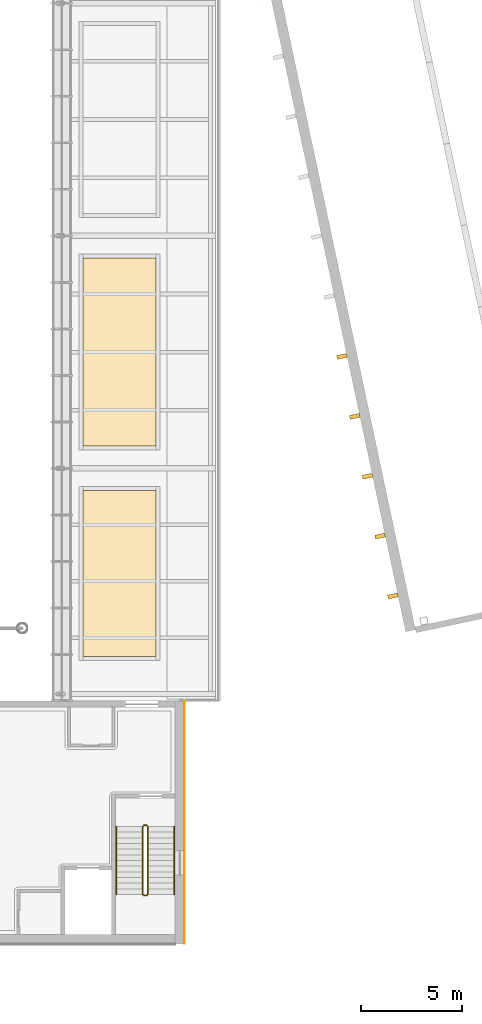
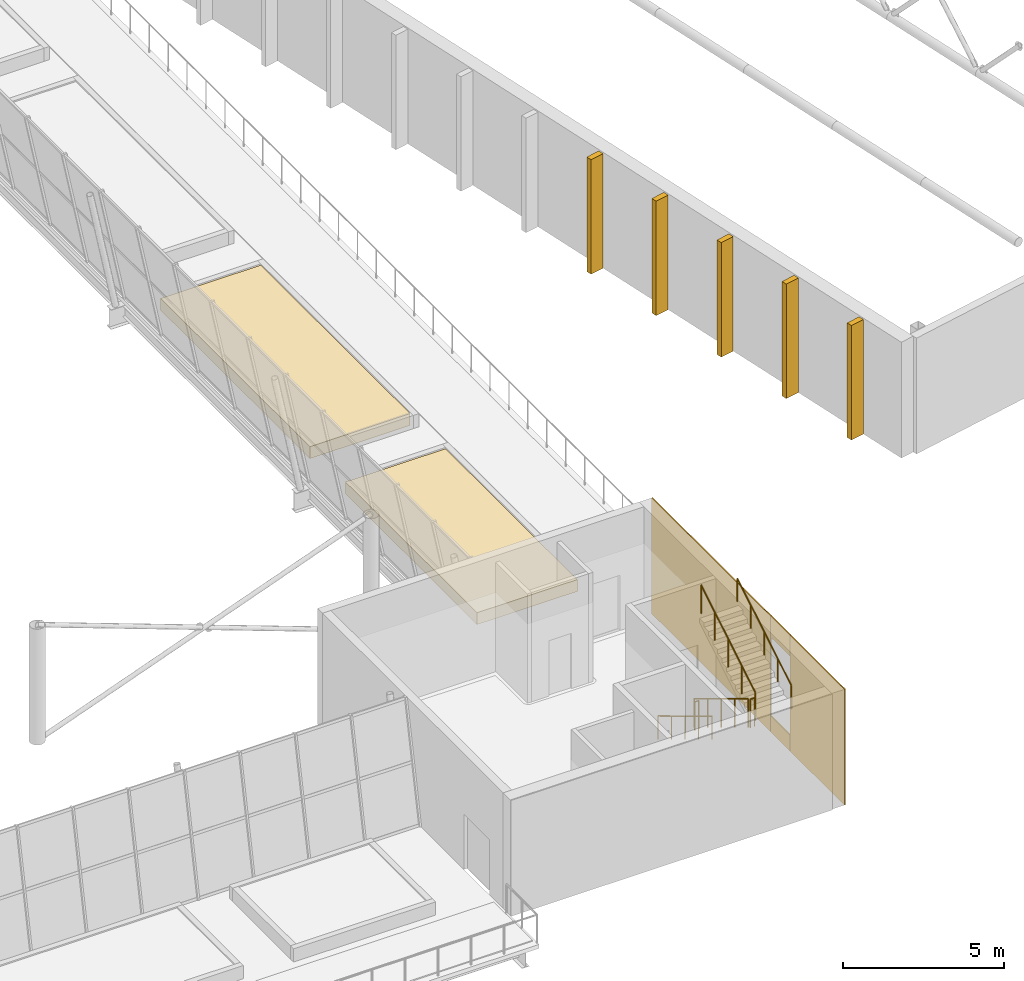
# One storey, part 50 of 58: 6 coverings, 6 railings, 5 shading devices.
"""IFC4 building model written with IfcOpenShell, lengths in metres."""

import ifcopenshell
import ifcopenshell.guid

model = None  # the IFC model being written
_history = None  # IfcOwnerHistory: only IFC2X3 demands one
_inside = {}  # id of a spatial element -> (the spatial element, [elements in it])
_under = {}  # id of a project, library or spatial element -> (it, [spatial elements below it])
_declared = {}  # id of a project -> (the project, [libraries it declares])
_typed = {}  # id of a type object -> (the type object, [elements of that type])
_made_of = {}  # id of a material, layer set ... -> (it, [elements and type objects made of it])


def new_model(schema):
    """Start an empty IFC model of exactly this schema.

    Asked for "IFC4X3", IfcOpenShell would pick the latest addendum, in which some entities
    have other attributes; the version numbers below select the first issue.
    IFC2X3 requires an IfcOwnerHistory on every rooted entity: one is made here for all.
    """
    global model, _history
    if schema == "IFC4X3":
        model = ifcopenshell.file(schema_version=(4, 3, 0, 0))
    else:
        model = ifcopenshell.file(schema=schema)
    _inside.clear()
    _under.clear()
    _declared.clear()
    _typed.clear()
    _made_of.clear()
    _history = None
    if model.schema == "IFC2X3":
        org = make("IfcOrganization", Name="unknown")
        user = make(
            "IfcPersonAndOrganization",
            ThePerson=make("IfcPerson", FamilyName="unknown"),
            TheOrganization=org,
        )
        app = make(
            "IfcApplication",
            ApplicationDeveloper=org,
            Version="unknown",
            ApplicationFullName="unknown",
            ApplicationIdentifier="unknown",
        )
        _history = make(
            "IfcOwnerHistory",
            OwningUser=user,
            OwningApplication=app,
            ChangeAction="ADDED",
            CreationDate=0,
        )
    return model


def make(cls, **values):
    """One entity of the class cls with the attributes given. An attribute that is None is left unset."""
    return model.create_entity(
        cls, **{name: value for name, value in values.items() if value is not None}
    )


def rooted(cls, **values):
    """An entity with a GlobalId (a new one), such as an element, a storey or a relation."""
    return make(cls, GlobalId=ifcopenshell.guid.new(), OwnerHistory=_history, **values)


def si_unit(unit_type, name, prefix=None):
    """IfcSIUnit, for example si_unit("LENGTHUNIT", "METRE", prefix="MILLI")."""
    return make("IfcSIUnit", UnitType=unit_type, Prefix=prefix, Name=name)


def assignment(units):
    """IfcUnitAssignment: the units of a project."""
    return None if units is None else make("IfcUnitAssignment", Units=units)


def point(xyz):
    """IfcCartesianPoint."""
    return None if xyz is None else make("IfcCartesianPoint", Coordinates=xyz)


def direction(xyz):
    """IfcDirection."""
    return None if xyz is None else make("IfcDirection", DirectionRatios=xyz)


def frame(location, z_axis=None, x_axis=None):
    """IfcAxis2Placement3D, a coordinate frame: its origin and axes. An axis left out is left unset."""
    return make(
        "IfcAxis2Placement3D",
        Location=point(location),
        Axis=direction(z_axis),
        RefDirection=direction(x_axis),
    )


def frame_2d(location, x_axis=None):
    """IfcAxis2Placement2D, a coordinate frame in the plane: its origin and x axis."""
    return make(
        "IfcAxis2Placement2D", Location=point(location), RefDirection=direction(x_axis)
    )


def origin():
    """The frame at (0, 0, 0) with its axes left unset."""
    return frame((0.0, 0.0, 0.0))


def origin_2d():
    """The frame at (0, 0) in the plane with its x axis left unset."""
    return frame_2d((0.0, 0.0))


def place(relative_to, where):
    """IfcLocalPlacement: puts the frame where relative to a parent placement (None: the world)."""
    return make(
        "IfcLocalPlacement", PlacementRelTo=relative_to, RelativePlacement=where
    )


def context(
    kind, dimensions, precision=None, world=None, true_north=None, identifier=None
):
    """IfcGeometricRepresentationContext, for example the 3D "Model" context."""
    return make(
        "IfcGeometricRepresentationContext",
        ContextIdentifier=identifier,
        ContextType=kind,
        CoordinateSpaceDimension=dimensions,
        Precision=precision,
        WorldCoordinateSystem=world,
        TrueNorth=true_north,
    )


def subcontext(parent, identifier, kind, view, scale=None):
    """IfcGeometricRepresentationSubContext, for example "Body" below "Model"."""
    return make(
        "IfcGeometricRepresentationSubContext",
        ContextIdentifier=identifier,
        ContextType=kind,
        ParentContext=parent,
        TargetScale=scale,
        TargetView=view,
    )


def project(units=None, contexts=None):
    """IfcProject with its units and contexts."""
    return rooted(
        "IfcProject",
        Name="project",
        RepresentationContexts=contexts,
        UnitsInContext=assignment(units),
    )


def spatial(cls, under=None, at=None, **own):
    """A site, building, storey or space (cls), placed at a placement, below another one or the project."""
    s = rooted(cls, ObjectPlacement=at, **own)
    if under is not None:
        _under.setdefault(under.id(), (under, []))[1].append(s)
    return s


def polyline(points):
    """IfcPolyline through the points."""
    return make("IfcPolyline", Points=[point(p) for p in points])


def profile(cls, at=None, kind="AREA", **sizes):
    """A parametric profile (cls). Its sizes go by their IFC names, for example OverallWidth=200.0."""
    return make(cls, ProfileType=kind, Position=at, **sizes)


def circle(**sizes):
    """IfcCircleProfileDef."""
    return profile("IfcCircleProfileDef", **sizes)


def outline(outer, holes=None, kind="AREA"):
    """IfcArbitraryClosedProfileDef: a profile drawn as a closed curve; with holes, ...WithVoids."""
    if holes is None:
        return make("IfcArbitraryClosedProfileDef", ProfileType=kind, OuterCurve=outer)
    return make(
        "IfcArbitraryProfileDefWithVoids",
        ProfileType=kind,
        OuterCurve=outer,
        InnerCurves=holes,
    )


def extrude(swept, where, along, depth):
    """IfcExtrudedAreaSolid: the profile swept, set in the frame where, extruded along a direction by depth."""
    return make(
        "IfcExtrudedAreaSolid",
        SweptArea=swept,
        Position=where,
        ExtrudedDirection=direction(along),
        Depth=depth,
    )


def shape(context_of_items, identifier, shape_type, items):
    """IfcShapeRepresentation: the items that make up one representation, for example the "Body"."""
    return make(
        "IfcShapeRepresentation",
        ContextOfItems=context_of_items,
        RepresentationIdentifier=identifier,
        RepresentationType=shape_type,
        Items=items,
    )


def material(Name=None, Category=None):
    """IfcMaterial."""
    return make("IfcMaterial", Name=Name, Category=Category)


def layer(
    of_material, thickness, ventilated=None, Name=None, Category=None, Priority=None
):
    """IfcMaterialLayer: one layer of a wall or slab, of a material (None: an air gap)."""
    return make(
        "IfcMaterialLayer",
        Material=of_material,
        LayerThickness=thickness,
        IsVentilated=ventilated,
        Name=Name,
        Category=Category,
        Priority=Priority,
    )


def layer_set(layers, Name=None):
    """IfcMaterialLayerSet."""
    return make("IfcMaterialLayerSet", MaterialLayers=layers, LayerSetName=Name)


def made_of(thing, what):
    """Note that an element or type object is made of a material, layer set ...; save() writes the relation."""
    if what is not None:
        _made_of.setdefault(what.id(), (what, []))[1].append(thing)
    return thing


def type_object(cls, material=None, **own):
    """A type object (cls), such as IfcWallType, which elements share."""
    return made_of(rooted(cls, **own), material)


def element(
    cls,
    number,
    at=None,
    inside=None,
    cuts=None,
    type_object=None,
    material=None,
    context=None,
    identifier="Body",
    shape_type=None,
    held_by="IfcProductDefinitionShape",
    body=None,
    shapes=None,
    **own,
):
    """One element of the class cls, such as IfcWall. Its Tag is "e" and its number.

    at: its placement. inside: the storey or other place that contains it. cuts: it is an
    opening in that element (IfcRelVoidsElement). A single representation is given by context,
    identifier, shape_type and body (its items); several are given by shapes. held_by: the class
    of the entity that holds the representations. save() writes the other relations.
    """
    e = rooted(cls, Tag="e%d" % number, ObjectPlacement=at, **own)
    if body is not None:
        shapes = [shape(context, identifier, shape_type, body)]
    if shapes is not None:
        e.Representation = make(held_by, Representations=shapes)
    if inside is not None:
        _inside.setdefault(inside.id(), (inside, []))[1].append(e)
    if cuts is not None:
        rooted(
            "IfcRelVoidsElement", RelatingBuildingElement=cuts, RelatedOpeningElement=e
        )
    if type_object is not None:
        _typed.setdefault(type_object.id(), (type_object, []))[1].append(e)
    return made_of(e, material)


def aggregate(whole, parts):
    """IfcRelAggregates: a whole, such as a stair, and the parts it consists of."""
    return rooted("IfcRelAggregates", RelatingObject=whole, RelatedObjects=parts)


def save(model, path):
    """Write the relations noted so far, then the file.

    IfcRelAggregates (storeys below a building ...), IfcRelContainedInSpatialStructure (elements
    in a storey), IfcRelDefinesByType, IfcRelAssociatesMaterial and IfcRelDeclares: one each for
    every whole, place, type object, material and project.
    """
    for whole, parts in _under.values():
        aggregate(whole, parts)
    for where, things in _inside.values():
        rooted(
            "IfcRelContainedInSpatialStructure",
            RelatedElements=things,
            RelatingStructure=where,
        )
    for kind, things in _typed.values():
        rooted("IfcRelDefinesByType", RelatedObjects=things, RelatingType=kind)
    for what, things in _made_of.values():
        rooted("IfcRelAssociatesMaterial", RelatedObjects=things, RelatingMaterial=what)
    for by, libraries in _declared.values():
        rooted("IfcRelDeclares", RelatingContext=by, RelatedDefinitions=libraries)
    model.write(path)


model = new_model("IFC4")

# Units and contexts
model_context = context("Model", 3, precision=1e-05, world=origin(), true_north=direction((0.0, 1.0)))
body_context = subcontext(model_context, "Body", "Model", "MODEL_VIEW")
ifc_project = project(units=[si_unit("LENGTHUNIT", "METRE"), si_unit("AREAUNIT", "SQUARE_METRE"), si_unit("VOLUMEUNIT", "CUBIC_METRE"), si_unit("PLANEANGLEUNIT", "RADIAN"), si_unit("MASSUNIT", "GRAM", prefix="KILO")], contexts=[model_context])

# Site, building, storey
site_placement = place(None, origin())
site = spatial("IfcSite", under=ifc_project, at=site_placement, CompositionType="ELEMENT")
building_placement = place(site_placement, origin())
building = spatial("IfcBuilding", under=site, at=building_placement, Name="Windward Yard Aquatics Centre", CompositionType="ELEMENT")
storey_placement = place(building_placement, frame((0.0, 0.0, 13.800048828125)))
storey = spatial("IfcBuildingStorey", under=building, at=storey_placement, Name="L03", CompositionType="ELEMENT", Elevation=13.800048828125)

# Shading devices
ifc_material_1 = material(Name="Aluminium fin, powder coated", Category="aluminium")
shading_device_type = type_object("IfcShadingDeviceType", Name="D vertical fin 200x500", PredefinedType="USERDEFINED", material=ifc_material_1)
shading_device_1_placement = place(storey_placement, origin())
element("IfcShadingDevice", 1, at=shading_device_1_placement, inside=storey, type_object=shading_device_type, Name="Vertical fin D.W.W.L03.1.1", ObjectType="FIN", PredefinedType="USERDEFINED", context=body_context, shape_type="SweptSolid", body=[
    extrude(outline(polyline([(162.05224609375, 43.23779296875), (162.093994140625, 43.042236328125), (162.5830078125, 43.146240234375), (162.54150390625, 43.341796875), (162.05224609375, 43.23779296875)])), origin(), (0.0, 0.0, 1.0), 4.349853515625),
])
shading_device_2_placement = place(storey_placement, origin())
element("IfcShadingDevice", 2, at=shading_device_2_placement, inside=storey, type_object=shading_device_type, Name="Vertical fin D.W.W.L03.1.2", ObjectType="FIN", PredefinedType="USERDEFINED", context=body_context, shape_type="SweptSolid", body=[
    extrude(outline(polyline([(161.4228515625, 46.198974609375), (161.464599609375, 46.00341796875), (161.95361328125, 46.107421875), (161.912109375, 46.302978515625), (161.4228515625, 46.198974609375)])), origin(), (0.0, 0.0, 1.0), 4.349853515625),
])
shading_device_3_placement = place(storey_placement, origin())
element("IfcShadingDevice", 3, at=shading_device_3_placement, inside=storey, type_object=shading_device_type, Name="Vertical fin D.W.W.L03.1.3", ObjectType="FIN", PredefinedType="USERDEFINED", context=body_context, shape_type="SweptSolid", body=[
    extrude(outline(polyline([(160.79345703125, 49.16015625), (160.835205078125, 48.964599609375), (161.32421875, 49.068603515625), (161.28271484375, 49.26416015625), (160.79345703125, 49.16015625)])), origin(), (0.0, 0.0, 1.0), 4.349853515625),
])
shading_device_4_placement = place(storey_placement, origin())
element("IfcShadingDevice", 4, at=shading_device_4_placement, inside=storey, type_object=shading_device_type, Name="Vertical fin D.W.W.L03.1.4", ObjectType="FIN", PredefinedType="USERDEFINED", context=body_context, shape_type="SweptSolid", body=[
    extrude(outline(polyline([(160.1640625, 52.121337890625), (160.205810546875, 51.925537109375), (160.69482421875, 52.029541015625), (160.6533203125, 52.22509765625), (160.1640625, 52.121337890625)])), origin(), (0.0, 0.0, 1.0), 4.349853515625),
])
shading_device_5_placement = place(storey_placement, origin())
element("IfcShadingDevice", 5, at=shading_device_5_placement, inside=storey, type_object=shading_device_type, Name="Vertical fin D.W.W.L03.1.5", ObjectType="FIN", PredefinedType="USERDEFINED", context=body_context, shape_type="SweptSolid", body=[
    extrude(outline(polyline([(159.53466796875, 55.08251953125), (159.576416015625, 54.88671875), (160.0654296875, 54.99072265625), (160.023681640625, 55.186279296875), (159.53466796875, 55.08251953125)])), origin(), (0.0, 0.0, 1.0), 4.349853515625),
])

# Railings
ifc_material_2 = material(Name="Stainless steel 1.4529", Category="steel")
railing_type_1 = type_object("IfcRailingType", Name="H Guard Steel 1100", PredefinedType="GUARDRAIL", material=ifc_material_2)
railing_1_placement = place(storey_placement, frame((149.949951171875, 31.800048828125, 0.169189453125)))
element("IfcRailing", 6, at=railing_1_placement, inside=storey, type_object=railing_type_1, Name="L03 ST2 stair guard 1", PredefinedType="GUARDRAIL", context=body_context, shape_type="SweptSolid", body=[
    extrude(circle(Radius=0.02392578125, at=origin_2d()), frame((0.0, 0.0, 1.076171875), z_axis=(0.0, -0.855836976705, 0.517245656632), x_axis=(1.0, 0.0, 0.0)), (0.0, 0.0, 1.0), 3.926025390625),
    extrude(circle(Radius=0.02099609375, at=origin_2d()), origin(), (0.0, 0.0, 1.0), 1.052001953125),
    extrude(circle(Radius=0.02099609375, at=origin_2d()), frame((0.0, -0.840087890625, 0.5078125)), (0.0, 0.0, 1.0), 1.052001953125),
    extrude(circle(Radius=0.02099609375, at=origin_2d()), frame((0.0, -1.68017578125, 1.015380859375)), (0.0, 0.0, 1.0), 1.052001953125),
    extrude(circle(Radius=0.02099609375, at=origin_2d()), frame((0.0, -2.52001953125, 1.52294921875)), (0.0, 0.0, 1.0), 1.052001953125),
    extrude(circle(Radius=0.02099609375, at=origin_2d()), frame((0.0, -3.360107421875, 2.03076171875)), (0.0, 0.0, 1.0), 1.052001953125),
])
railing_2_placement = place(storey_placement, frame((150.0, 28.389892578125, 2.199951171875)))
element("IfcRailing", 7, at=railing_2_placement, inside=storey, type_object=railing_type_1, Name="L03 ST2 stair guard 2", PredefinedType="GUARDRAIL", context=body_context, shape_type="SweptSolid", body=[
    extrude(circle(Radius=0.02392578125, at=origin_2d()), frame((0.0, 0.0, 1.076171875), z_axis=(1.0, 0.0, 0.0), x_axis=(0.0, 1.0, 0.0)), (0.0, 0.0, 1.0), 0.14990234375),
    extrude(circle(Radius=0.02099609375, at=origin_2d()), origin(), (0.0, 0.0, 1.0), 1.052001953125),
    extrude(circle(Radius=0.02099609375, at=origin_2d()), frame((0.14990234375, 0.0, 0.0)), (0.0, 0.0, 1.0), 1.052001953125),
])
railing_3_placement = place(storey_placement, frame((150.199951171875, 28.43994140625, 2.369140625)))
element("IfcRailing", 8, at=railing_3_placement, inside=storey, type_object=railing_type_1, Name="L03 ST2 stair guard 3", PredefinedType="GUARDRAIL", context=body_context, shape_type="SweptSolid", body=[
    extrude(circle(Radius=0.02392578125, at=origin_2d()), frame((0.0, 0.0, 1.076171875), z_axis=(0.0, 0.855836976705, 0.517245656632), x_axis=(-1.0, 0.0, 0.0)), (0.0, 0.0, 1.0), 3.926025390625),
    extrude(circle(Radius=0.02099609375, at=origin_2d()), origin(), (0.0, 0.0, 1.0), 1.052001953125),
    extrude(circle(Radius=0.02099609375, at=origin_2d()), frame((0.0, 0.840087890625, 0.5078125)), (0.0, 0.0, 1.0), 1.052001953125),
    extrude(circle(Radius=0.02099609375, at=origin_2d()), frame((0.0, 1.68017578125, 1.015380859375)), (0.0, 0.0, 1.0), 1.052001953125),
    extrude(circle(Radius=0.02099609375, at=origin_2d()), frame((0.0, 2.52001953125, 1.52294921875)), (0.0, 0.0, 1.0), 1.052001953125),
    extrude(circle(Radius=0.02099609375, at=origin_2d()), frame((0.0, 3.360107421875, 2.03076171875)), (0.0, 0.0, 1.0), 1.052001953125),
])
railing_4_placement = place(storey_placement, frame((150.0, 31.85009765625, 0.0)))
element("IfcRailing", 9, at=railing_4_placement, inside=storey, type_object=railing_type_1, Name="L03 ST2 stair guard 4", PredefinedType="GUARDRAIL", context=body_context, shape_type="SweptSolid", body=[
    extrude(circle(Radius=0.02392578125, at=origin_2d()), frame((0.0, 0.0, 1.076171875), z_axis=(1.0, 0.0, 0.0), x_axis=(0.0, 1.0, 0.0)), (0.0, 0.0, 1.0), 0.14990234375),
    extrude(circle(Radius=0.02099609375, at=origin_2d()), origin(), (0.0, 0.0, 1.0), 1.052001953125),
    extrude(circle(Radius=0.02099609375, at=origin_2d()), frame((0.14990234375, 0.0, 0.0)), (0.0, 0.0, 1.0), 1.052001953125),
])
railing_type_2 = type_object("IfcRailingType", Name="H Handrail Steel 900", PredefinedType="HANDRAIL", material=ifc_material_2)
railing_5_placement = place(storey_placement, frame((148.64990234375, 31.800048828125, 0.169189453125)))
element("IfcRailing", 10, at=railing_5_placement, inside=storey, type_object=railing_type_2, Name="L03 ST2 stair handrail 1", PredefinedType="HANDRAIL", context=body_context, shape_type="SweptSolid", body=[
    extrude(circle(Radius=0.02392578125, at=origin_2d()), frame((0.0, 0.0, 0.8759765625), z_axis=(0.0, -0.855836976705, 0.517245656632), x_axis=(1.0, 0.0, 0.0)), (0.0, 0.0, 1.0), 3.926025390625),
    extrude(circle(Radius=0.02099609375, at=origin_2d()), origin(), (0.0, 0.0, 1.0), 0.851806640625),
    extrude(circle(Radius=0.02099609375, at=origin_2d()), frame((0.0, -0.840087890625, 0.5078125)), (0.0, 0.0, 1.0), 0.851806640625),
    extrude(circle(Radius=0.02099609375, at=origin_2d()), frame((0.0, -1.68017578125, 1.015380859375)), (0.0, 0.0, 1.0), 0.851806640625),
    extrude(circle(Radius=0.02099609375, at=origin_2d()), frame((0.0, -2.52001953125, 1.52294921875)), (0.0, 0.0, 1.0), 0.851806640625),
    extrude(circle(Radius=0.02099609375, at=origin_2d()), frame((0.0, -3.360107421875, 2.03076171875)), (0.0, 0.0, 1.0), 0.851806640625),
])
railing_6_placement = place(storey_placement, frame((151.5, 28.43994140625, 2.369140625)))
element("IfcRailing", 11, at=railing_6_placement, inside=storey, type_object=railing_type_2, Name="L03 ST2 stair handrail 2", PredefinedType="HANDRAIL", context=body_context, shape_type="SweptSolid", body=[
    extrude(circle(Radius=0.02392578125, at=origin_2d()), frame((0.0, 0.0, 0.8759765625), z_axis=(0.0, 0.855836976705, 0.517245656632), x_axis=(-1.0, 0.0, 0.0)), (0.0, 0.0, 1.0), 3.926025390625),
    extrude(circle(Radius=0.02099609375, at=origin_2d()), origin(), (0.0, 0.0, 1.0), 0.851806640625),
    extrude(circle(Radius=0.02099609375, at=origin_2d()), frame((0.0, 0.840087890625, 0.5078125)), (0.0, 0.0, 1.0), 0.851806640625),
    extrude(circle(Radius=0.02099609375, at=origin_2d()), frame((0.0, 1.68017578125, 1.015380859375)), (0.0, 0.0, 1.0), 0.851806640625),
    extrude(circle(Radius=0.02099609375, at=origin_2d()), frame((0.0, 2.52001953125, 1.52294921875)), (0.0, 0.0, 1.0), 0.851806640625),
    extrude(circle(Radius=0.02099609375, at=origin_2d()), frame((0.0, 3.360107421875, 2.03076171875)), (0.0, 0.0, 1.0), 0.851806640625),
])

# Coverings
ifc_material_3 = material(Name="Natural limestone cladding", Category="masonry")
ifc_layer_1 = layer(ifc_material_3, 0.0400390625)
ifc_layer_set_1 = layer_set([ifc_layer_1], Name="H natural stone cladding 40")
covering_type_1 = type_object("IfcCoveringType", Name="H natural stone cladding 40", PredefinedType="CLADDING", material=ifc_layer_set_1)
covering_1_placement = place(storey_placement, origin())
element("IfcCovering", 12, at=covering_1_placement, inside=storey, type_object=covering_type_1, Name="Stone cladding panel 98", PredefinedType="CLADDING", context=body_context, shape_type="SweptSolid", body=[
    extrude(outline(polyline([(152.0, 26.0), (152.0, 29.39990234375), (152.0400390625, 29.39990234375), (152.0400390625, 26.0), (152.0, 26.0)])), origin(), (0.0, 0.0, 1.0), 4.39990234375),
])
covering_2_placement = place(storey_placement, origin())
element("IfcCovering", 13, at=covering_2_placement, inside=storey, type_object=covering_type_1, Name="Stone cladding panel 99", PredefinedType="CLADDING", context=body_context, shape_type="SweptSolid", body=[
    extrude(outline(polyline([(152.0, 29.39990234375), (152.0, 30.60009765625), (152.0400390625, 30.60009765625), (152.0400390625, 29.39990234375), (152.0, 29.39990234375)])), origin(), (0.0, 0.0, 1.0), 0.599853515625),
])
covering_3_placement = place(storey_placement, frame((0.0, 0.0, 3.599853515625)))
element("IfcCovering", 14, at=covering_3_placement, inside=storey, type_object=covering_type_1, Name="Stone cladding panel 100", PredefinedType="CLADDING", context=body_context, shape_type="SweptSolid", body=[
    extrude(outline(polyline([(152.0, 29.39990234375), (152.0, 30.60009765625), (152.0400390625, 30.60009765625), (152.0400390625, 29.39990234375), (152.0, 29.39990234375)])), origin(), (0.0, 0.0, 1.0), 0.800048828125),
])
covering_4_placement = place(storey_placement, origin())
element("IfcCovering", 15, at=covering_4_placement, inside=storey, type_object=covering_type_1, Name="Stone cladding panel 101", PredefinedType="CLADDING", context=body_context, shape_type="SweptSolid", body=[
    extrude(outline(polyline([(152.0, 30.60009765625), (152.0, 38.0), (152.0400390625, 38.0), (152.0400390625, 30.60009765625), (152.0, 30.60009765625)])), origin(), (0.0, 0.0, 1.0), 4.39990234375),
])
ifc_material_4 = material(Name="Planting soil")
ifc_layer_2 = layer(ifc_material_4, 0.398, Name="Planting")
ifc_material_5 = material(Name="Filter fabric")
ifc_layer_3 = layer(ifc_material_5, 0.002, Name="Filter")
ifc_material_6 = material(Name="Drainage board")
ifc_layer_4 = layer(ifc_material_6, 0.05, Name="Drainage")
ifc_layer_set_2 = layer_set([ifc_layer_2, ifc_layer_3, ifc_layer_4], Name="H planting bed 450")
covering_type_2 = type_object("IfcCoveringType", Name="H planting bed 450", PredefinedType="USERDEFINED", material=ifc_layer_set_2)
covering_5_placement = place(storey_placement, origin())
element("IfcCovering", 16, at=covering_5_placement, inside=storey, type_object=covering_type_2, Name="Planting bed T1 E1", ObjectType="PLANTING BED", PredefinedType="USERDEFINED", context=body_context, shape_type="SweptSolid", body=[
    extrude(outline(polyline([(147.0, 40.199951171875), (150.60009765625, 40.199951171875), (150.60009765625, 48.39990234375), (147.0, 48.39990234375), (147.0, 40.199951171875)])), origin(), (0.0, 0.0, 1.0), 0.449951171875),
])
covering_6_placement = place(storey_placement, origin())
element("IfcCovering", 17, at=covering_6_placement, inside=storey, type_object=covering_type_2, Name="Planting bed T1 E2", ObjectType="PLANTING BED", PredefinedType="USERDEFINED", context=body_context, shape_type="SweptSolid", body=[
    extrude(outline(polyline([(147.0, 50.60009765625), (150.60009765625, 50.60009765625), (150.60009765625, 59.89990234375), (147.0, 59.89990234375), (147.0, 50.60009765625)])), origin(), (0.0, 0.0, 1.0), 0.449951171875),
])

save(model, "model.ifc")
